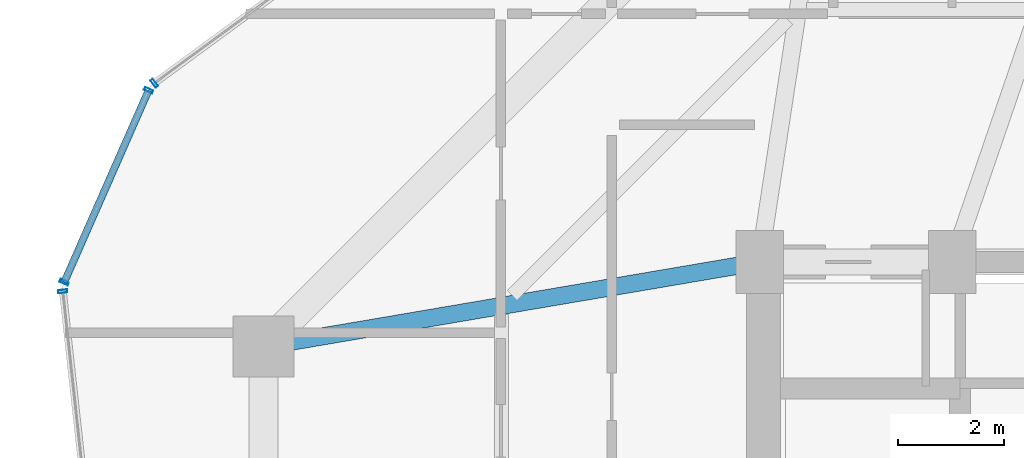
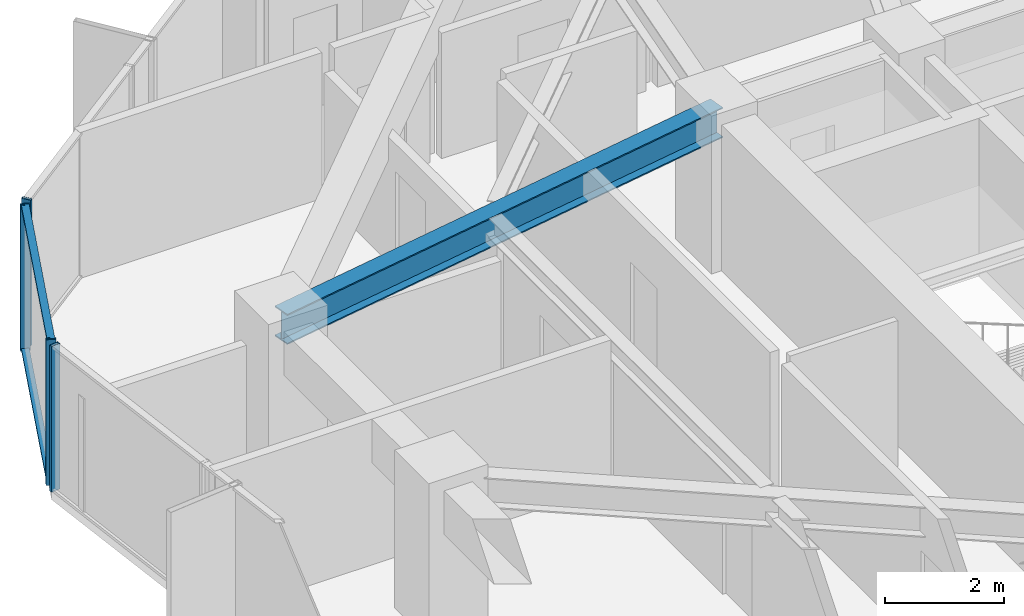
# One storey, part 13 of 34: 6 members, 1 beam, 3 elements without a shape of their own.
"""IFC4 building model written with IfcOpenShell, lengths in metres."""

from ifc_helpers import new_model, si_unit, direction, frame, origin, origin_2d, place, context, subcontext, project, spatial, hollow_rectangle, i_section, extrude, source, transform, mapped, material, layer, layer_set, material_profile, profile_set, type_object, element, aggregate, save


model = new_model("IFC4")

# Units and contexts
model_context = context("Model", 3, precision=1e-05, world=origin(), true_north=direction((0.0, 1.0)))
body_context = subcontext(model_context, "Body", "Model", "MODEL_VIEW")
ifc_project = project(units=[si_unit("LENGTHUNIT", "METRE"), si_unit("AREAUNIT", "SQUARE_METRE"), si_unit("VOLUMEUNIT", "CUBIC_METRE"), si_unit("PLANEANGLEUNIT", "RADIAN"), si_unit("MASSUNIT", "GRAM", prefix="KILO")], contexts=[model_context])

# Site, building, storey
site_placement = place(None, origin())
site = spatial("IfcSite", under=ifc_project, at=site_placement, CompositionType="ELEMENT")
building_placement = place(site_placement, origin())
building = spatial("IfcBuilding", under=site, at=building_placement, Name="Veraguas Prism Commons", CompositionType="ELEMENT")
storey_placement = place(building_placement, frame((0.0, 0.0, 149.0)))
storey = spatial("IfcBuildingStorey", under=building, at=storey_placement, Name="L42", CompositionType="ELEMENT", Elevation=149.0)

# Beam
ifc_material_1 = material(Name="Steel ASTM A992 Grade 50", Category="steel")
ifc_material_profile_1 = material_profile(ifc_material_1, i_section(OverallWidth=0.327880859375, OverallDepth=0.6220703125, WebThickness=0.015380859375, FlangeThickness=0.0244140625, at=origin_2d()), Name="W610X195")
ifc_profile_set_1 = profile_set([ifc_material_profile_1], Name="Steel ASTM A992 Grade 50")
beam_type = type_object("IfcBeamType", Name="Zone 2 Radial Girder W610x195", PredefinedType="BEAM", material=ifc_profile_set_1)
beam_placement = place(storey_placement, frame((7.800048828125, 29.39990234375, 2.68896484375), z_axis=(0.985819187151, 0.1678109956, 0.0), x_axis=(-0.1678109956, 0.985819187151, 0.0)))
element("IfcBeam", 1, at=beam_placement, inside=storey, type_object=beam_type, Name="Radial Floor Girder L42-RD07", PredefinedType="BEAM", context=body_context, shape_type="SweptSolid", body=[
    extrude(i_section(OverallWidth=0.327880859375, OverallDepth=0.6220703125, WebThickness=0.015380859375, FlangeThickness=0.0244140625, at=origin_2d()), origin(), (0.0, 0.0, 1.0), 9.53515625),
])

# Curtain wall, member
ifc_material_2 = material(Name="Anodised aluminium EN AW-6063 T6", Category="aluminium")
ifc_layer = layer(ifc_material_2, 0.169921875, Name="Unitised Flush Curtain Wall Zone 2", Category="aluminium")
ifc_layer_set = layer_set([ifc_layer], Name="Anodised aluminium EN AW-6063 T6")
curtain_wall_type = type_object("IfcCurtainWallType", Name="Unitised Flush Curtain Wall Zone 2", PredefinedType="NOTDEFINED", material=ifc_layer_set)
curtain_wall_1_placement = place(storey_placement, origin())
curtain_wall_1 = element("IfcCurtainWall", 2, at=curtain_wall_1_placement, inside=storey, type_object=curtain_wall_type, Name="Tower Facade Curtain Wall L42-F2", PredefinedType="NOTDEFINED")
ifc_material_profile_2 = material_profile(ifc_material_2, hollow_rectangle(XDim=0.06005859375, YDim=0.169921875, WallThickness=0.00390625, at=origin_2d()), Name="AL60X170X4")
ifc_profile_set_2 = profile_set([ifc_material_profile_2], Name="Anodised aluminium EN AW-6063 T6")
member_type_1 = type_object("IfcMemberType", Name="Curtain Wall Mullion Lower AL 60x170x4", PredefinedType="MULLION", material=ifc_profile_set_2)
shared_shape_1 = source(origin(), body_context, "Body", "SweptSolid", [
    extrude(hollow_rectangle(XDim=0.06005859375, YDim=0.169921875, WallThickness=0.00390625, at=origin_2d()), origin(), (0.0, 0.0, 1.0), 3.0),
])
member_1_placement = place(storey_placement, frame((5.730224609375, 34.388671875, 0.0), z_axis=(0.0, 0.0, 1.0), x_axis=(-0.806343453529, -0.591447575826, 0.0)))
member_1 = element("IfcMember", 3, at=member_1_placement, type_object=member_type_1, Name="CW-Z2 Mullion 5", PredefinedType="MULLION", context=body_context, shape_type="MappedRepresentation", body=[
    mapped(shared_shape_1, transform((0.0, 0.0, 0.0), scale=1.0)),
])
aggregate(curtain_wall_1, [member_1])

curtain_wall_2_placement = place(storey_placement, origin())
curtain_wall_2 = element("IfcCurtainWall", 4, at=curtain_wall_2_placement, inside=storey, type_object=curtain_wall_type, Name="Tower Facade Curtain Wall L42-F3", PredefinedType="NOTDEFINED")
member_2_placement = place(storey_placement, frame((3.99560546875, 30.4443359375, 0.0), z_axis=(0.0, 0.0, 1.0), x_axis=(0.109043838598, -0.994036941599, 0.0)))
member_2 = element("IfcMember", 5, at=member_2_placement, type_object=member_type_1, Name="CW-Z2 Mullion 1", PredefinedType="MULLION", context=body_context, shape_type="MappedRepresentation", body=[
    mapped(shared_shape_1, transform((0.0, 0.0, 0.0), scale=1.0)),
])
aggregate(curtain_wall_2, [member_2])

# Curtain wall, members
curtain_wall_3_placement = place(storey_placement, origin())
curtain_wall_3 = element("IfcCurtainWall", 6, at=curtain_wall_3_placement, inside=storey, type_object=curtain_wall_type, Name="Chamfer Curtain Wall L42-C3", PredefinedType="NOTDEFINED")
member_3_placement = place(storey_placement, frame((5.621337890625, 34.253173828125, 0.0), z_axis=(0.0, 0.0, 1.0), x_axis=(-0.402543794939, -0.915400728182, 0.0)))
member_3 = element("IfcMember", 7, at=member_3_placement, type_object=member_type_1, Name="CW-Z2 Mullion 1", PredefinedType="MULLION", context=body_context, shape_type="MappedRepresentation", body=[
    mapped(shared_shape_1, transform((0.0, 0.0, 0.0), scale=1.0)),
])
member_4_placement = place(storey_placement, frame((4.02197265625, 30.6162109375, 0.0), z_axis=(0.0, 0.0, 1.0), x_axis=(-0.402543794939, -0.915400728182, 0.0)))
member_4 = element("IfcMember", 8, at=member_4_placement, type_object=member_type_1, Name="CW-Z2 Mullion 2", PredefinedType="MULLION", context=body_context, shape_type="MappedRepresentation", body=[
    mapped(shared_shape_1, transform((0.0, 0.0, 0.0), scale=1.0)),
])
ifc_material_profile_3 = material_profile(ifc_material_2, hollow_rectangle(XDim=0.054931640625, YDim=0.135009765625, WallThickness=0.0029296875, at=origin_2d()), Name="AL55X135X3")
ifc_profile_set_3 = profile_set([ifc_material_profile_3], Name="Anodised aluminium EN AW-6063 T6")
member_type_2 = type_object("IfcMemberType", Name="Curtain Wall Transom Standard AL 55x135x3", PredefinedType="USERDEFINED", material=ifc_profile_set_3)
shared_shape_2 = source(origin(), body_context, "Body", "SweptSolid", [
    extrude(hollow_rectangle(XDim=0.054931640625, YDim=0.135009765625, WallThickness=0.0029296875, at=origin_2d()), origin(), (0.0, 0.0, 1.0), 3.97314453125),
])
member_5_placement = place(storey_placement, frame((5.621337890625, 34.253173828125, 0.027587890625), z_axis=(-0.402549153145, -0.915398371914, 0.0), x_axis=(0.0, 0.0, 1.0)))
member_5 = element("IfcMember", 9, at=member_5_placement, type_object=member_type_2, Name="CW-Z2 Transom 1", ObjectType="TRANSOM", PredefinedType="USERDEFINED", context=body_context, shape_type="MappedRepresentation", body=[
    mapped(shared_shape_2, transform((0.0, 0.0, 0.0), scale=1.0)),
])
member_6_placement = place(storey_placement, frame((5.621337890625, 34.253173828125, 2.972412109375), z_axis=(-0.402549153145, -0.915398371914, 0.0), x_axis=(0.0, 0.0, 1.0)))
member_6 = element("IfcMember", 10, at=member_6_placement, type_object=member_type_2, Name="CW-Z2 Transom 2", ObjectType="TRANSOM", PredefinedType="USERDEFINED", context=body_context, shape_type="MappedRepresentation", body=[
    mapped(shared_shape_2, transform((0.0, 0.0, 0.0), scale=1.0)),
])
aggregate(curtain_wall_3, [member_3, member_4, member_5, member_6])

save(model, "model.ifc")
